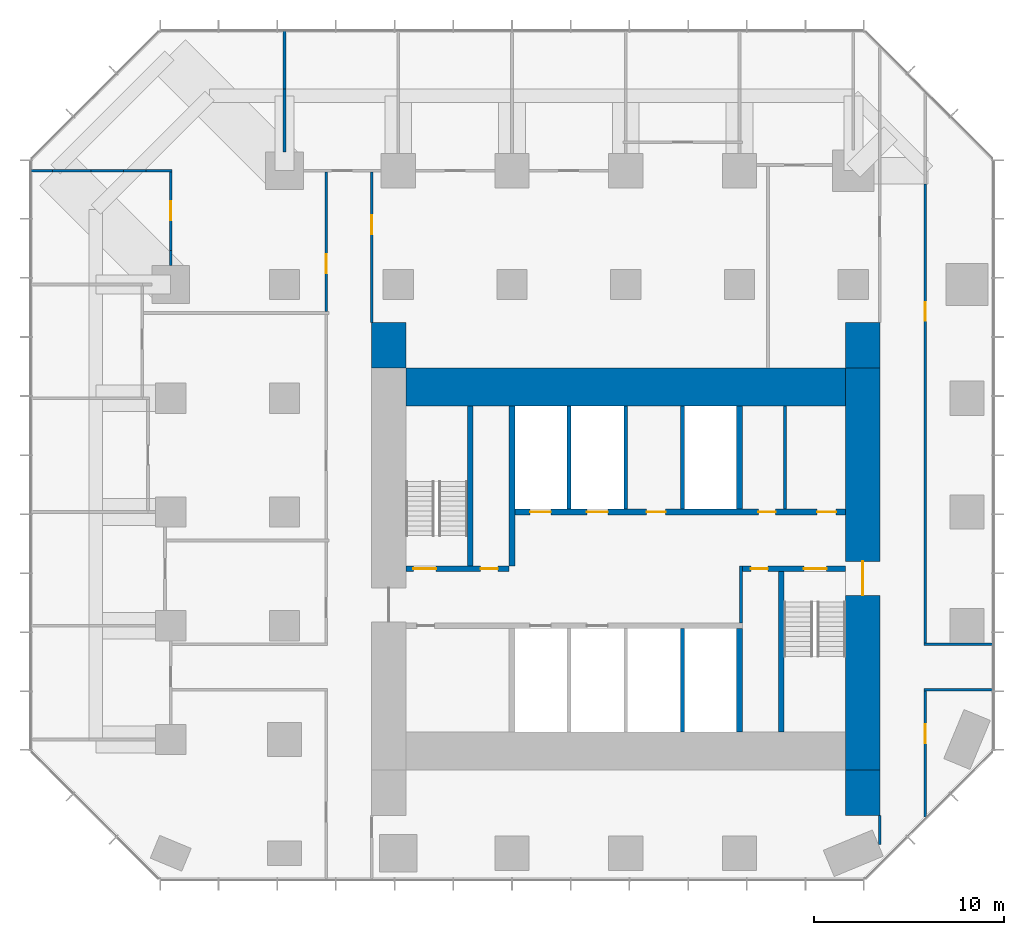
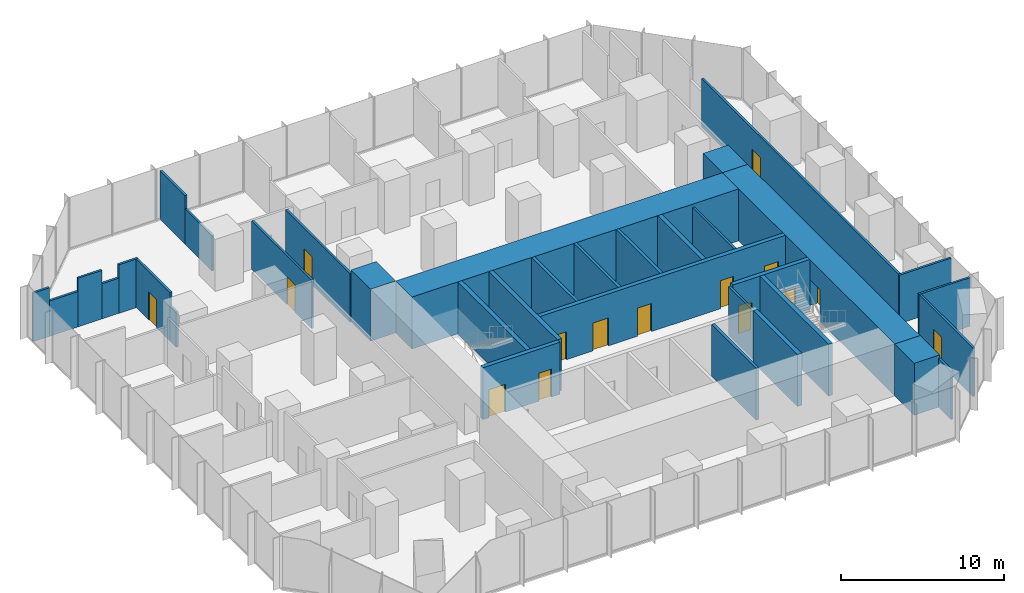
# One storey, part 9 of 11: 35 walls, 15 doors, 15 openings.
"""IFC4 building model written with IfcOpenShell, lengths in metres."""

from ifc_helpers import new_model, si_unit, direction, frame, frame_2d, origin, place, context, subcontext, project, spatial, rectangle, extrude, material, layer, layer_set, type_object, element, fill, save


model = new_model("IFC4")

# Units and contexts
model_context = context("Model", 3, precision=1e-05, world=origin(), true_north=direction((0.0, 1.0)))
body_context = subcontext(model_context, "Body", "Model", "MODEL_VIEW")
ifc_project = project(units=[si_unit("LENGTHUNIT", "METRE"), si_unit("AREAUNIT", "SQUARE_METRE"), si_unit("VOLUMEUNIT", "CUBIC_METRE"), si_unit("PLANEANGLEUNIT", "RADIAN"), si_unit("MASSUNIT", "GRAM", prefix="KILO")], contexts=[model_context])

# Site, building, storey
site_placement = place(None, origin())
site = spatial("IfcSite", under=ifc_project, at=site_placement, CompositionType="ELEMENT")
building_placement = place(site_placement, origin())
building = spatial("IfcBuilding", under=site, at=building_placement, Name="Highveld Stack Headquarters", CompositionType="ELEMENT")
storey_placement = place(building_placement, frame((0.0, 0.0, 97.699951171875)))
storey = spatial("IfcBuildingStorey", under=building, at=storey_placement, Name="L23", CompositionType="ELEMENT", Elevation=97.699951171875)

# Wall, opening, door
ifc_material_1 = material(Name="Concrete C60/75", Category="concrete")
ifc_layer_1 = layer(ifc_material_1, 1.800048828125)
ifc_layer_set_1 = layer_set([ifc_layer_1], Name="Concrete C60/75")
wall_type_1 = type_object("IfcWallType", Name="CORE WALL 1800 C60/75", PredefinedType="SHEAR", material=ifc_layer_set_1)
wall_1_placement = place(storey_placement, frame((18.5, -7.60009765625, 0.0), z_axis=(0.0, 0.0, 1.0), x_axis=(0.0, 1.0, 0.0)))
wall_1 = element("IfcWall", 1, at=wall_1_placement, inside=storey, type_object=wall_type_1, Name="Core wall E L23", PredefinedType="SHEAR", context=body_context, shape_type="SweptSolid", body=[
    extrude(rectangle(XDim=21.2001953125, YDim=1.800048828125, at=frame_2d((10.60009765625, 0.0))), origin(), (0.0, 0.0, 1.0), 3.900146484375),
])
opening_1_placement = place(wall_1_placement, frame((9.199951171875, 0.0, 0.0)))
opening_1 = element("IfcOpeningElement", 2, at=opening_1_placement, cuts=wall_1, Name="Opening L23-02", PredefinedType="OPENING", context=body_context, shape_type="SweptSolid", body=[
    extrude(rectangle(XDim=1.800048828125, YDim=2.39990234375, at=frame_2d((0.89990234375, 1.199951171875))), frame((0.0, 0.909912109375, 0.0), z_axis=(0.0, -1.0, 0.0), x_axis=(1.0, 0.0, 0.0)), (0.0, 0.0, 1.0), 1.820068359375),
])
ifc_material_2 = material(Name="Steel fire door", Category="steel")
door_type_1 = type_object("IfcDoorType", Name="LOBBY FIRE DOOR D4 1800x2400", OperationType="DOUBLE_DOOR_SINGLE_SWING", PredefinedType="DOOR", material=ifc_material_2)
door_1_placement = place(opening_1_placement, origin())
door_1 = element("IfcDoor", 3, at=door_1_placement, inside=storey, type_object=door_type_1, Name="Core east door L23", OperationType="DOUBLE_DOOR_SINGLE_SWING", OverallHeight=2.39990234375, OverallWidth=1.800048828125, PredefinedType="DOOR", context=body_context, shape_type="SweptSolid", body=[
    extrude(rectangle(XDim=1.800048828125, YDim=2.39990234375, at=frame_2d((0.89990234375, 1.199951171875))), frame((0.0, 0.02490234375, 0.0), z_axis=(0.0, -1.0, 0.0), x_axis=(1.0, 0.0, 0.0)), (0.0, 0.0, 1.0), 0.050048828125),
])
fill(opening_1, door_1)

# Wall
ifc_material_3 = material(Name="Concrete C60/75", Category="concrete")
ifc_layer_2 = layer(ifc_material_3, 2.0)
ifc_layer_set_2 = layer_set([ifc_layer_2], Name="Concrete C60/75")
wall_type_2 = type_object("IfcWallType", Name="CORE WALL 2000 C60/75", PredefinedType="SHEAR", material=ifc_layer_set_2)
wall_2_placement = place(storey_placement, frame((-5.60009765625, 12.60009765625, 0.0), z_axis=(0.0, 0.0, 1.0), x_axis=(1.0, 0.0, 0.0)))
element("IfcWall", 4, at=wall_2_placement, inside=storey, type_object=wall_type_2, Name="Core wall N L23", PredefinedType="SHEAR", context=body_context, shape_type="SweptSolid", body=[
    extrude(rectangle(XDim=23.2001953125, YDim=2.0, at=frame_2d((11.60009765625, 0.0))), origin(), (0.0, 0.0, 1.0), 3.900146484375),
])

# Wall, openings, doors
ifc_material_4 = material(Name="Concrete C60/75", Category="concrete")
ifc_layer_3 = layer(ifc_material_4, 0.300048828125)
ifc_layer_set_3 = layer_set([ifc_layer_3], Name="Concrete C60/75")
wall_type_3 = type_object("IfcWallType", Name="CORE WALL 300 C60/75", PredefinedType="SHEAR", material=ifc_layer_set_3)
wall_3_placement = place(storey_placement, frame((-5.60009765625, 3.0, 0.0), z_axis=(0.0, 0.0, 1.0), x_axis=(1.0, 0.0, 0.0)))
wall_3 = element("IfcWall", 5, at=wall_3_placement, inside=storey, type_object=wall_type_3, Name="Core wall I-Y3W L23", PredefinedType="SHEAR", context=body_context, shape_type="SweptSolid", body=[
    extrude(rectangle(XDim=5.4501953125, YDim=0.300048828125, at=frame_2d((2.72509765625, 0.0))), origin(), (0.0, 0.0, 1.0), 3.900146484375),
])
opening_2_placement = place(wall_3_placement, frame((0.39990234375, 0.0, 0.0)))
opening_2 = element("IfcOpeningElement", 6, at=opening_2_placement, cuts=wall_3, Name="Opening L23-03", PredefinedType="OPENING", context=body_context, shape_type="SweptSolid", body=[
    extrude(rectangle(XDim=1.199951171875, YDim=2.10009765625, at=frame_2d((0.60009765625, 1.050048828125))), frame((0.0, 0.159912109375, 0.0), z_axis=(0.0, -1.0, 0.0), x_axis=(1.0, 0.0, 0.0)), (0.0, 0.0, 1.0), 0.320068359375),
])
opening_3_placement = place(wall_3_placement, frame((3.949951171875, 0.0, 0.0)))
opening_3 = element("IfcOpeningElement", 7, at=opening_3_placement, cuts=wall_3, Name="Opening L23-04", PredefinedType="OPENING", context=body_context, shape_type="SweptSolid", body=[
    extrude(rectangle(XDim=0.89990234375, YDim=2.10009765625, at=frame_2d((0.449951171875, 1.050048828125))), frame((0.0, 0.159912109375, 0.0), z_axis=(0.0, -1.0, 0.0), x_axis=(1.0, 0.0, 0.0)), (0.0, 0.0, 1.0), 0.320068359375),
])
ifc_material_5 = material(Name="Steel fire door", Category="steel")
door_type_2 = type_object("IfcDoorType", Name="RISER ACCESS DOOR D5 900x2100", OperationType="SINGLE_SWING_LEFT", PredefinedType="DOOR", material=ifc_material_5)
door_2_placement = place(opening_3_placement, origin())
door_2 = element("IfcDoor", 8, at=door_2_placement, inside=storey, type_object=door_type_2, Name="Riser R1 door L23", OperationType="SINGLE_SWING_RIGHT", OverallHeight=2.10009765625, OverallWidth=0.89990234375, PredefinedType="DOOR", context=body_context, shape_type="SweptSolid", body=[
    extrude(rectangle(XDim=0.89990234375, YDim=2.10009765625, at=frame_2d((0.449951171875, 1.050048828125))), frame((0.0, 0.02490234375, 0.0), z_axis=(0.0, -1.0, 0.0), x_axis=(1.0, 0.0, 0.0)), (0.0, 0.0, 1.0), 0.050048828125),
])
fill(opening_3, door_2)
ifc_material_6 = material(Name="Steel fire door", Category="steel")
door_type_3 = type_object("IfcDoorType", Name="STAIR FIRE DOOR D3 1200x2100", OperationType="SINGLE_SWING_LEFT", PredefinedType="DOOR", material=ifc_material_6)
door_3_placement = place(opening_2_placement, origin())
door_3 = element("IfcDoor", 9, at=door_3_placement, inside=storey, type_object=door_type_3, Name="Stair S1 door L23", OperationType="SINGLE_SWING_LEFT", OverallHeight=2.10009765625, OverallWidth=1.199951171875, PredefinedType="DOOR", context=body_context, shape_type="SweptSolid", body=[
    extrude(rectangle(XDim=1.199951171875, YDim=2.10009765625, at=frame_2d((0.60009765625, 1.050048828125))), frame((0.0, 0.02490234375, 0.0), z_axis=(0.0, -1.0, 0.0), x_axis=(1.0, 0.0, 0.0)), (0.0, 0.0, 1.0), 0.050048828125),
])
fill(opening_2, door_3)

wall_4_placement = place(storey_placement, frame((12.14990234375, 3.0, 0.0), z_axis=(0.0, 0.0, 1.0), x_axis=(1.0, 0.0, 0.0)))
wall_4 = element("IfcWall", 10, at=wall_4_placement, inside=storey, type_object=wall_type_3, Name="Core wall I-Y3E L23", PredefinedType="SHEAR", context=body_context, shape_type="SweptSolid", body=[
    extrude(rectangle(XDim=5.4501953125, YDim=0.300048828125, at=frame_2d((2.72509765625, 0.0))), origin(), (0.0, 0.0, 1.0), 3.900146484375),
])
opening_4_placement = place(wall_4_placement, frame((3.25, 0.0, 0.0)))
opening_4 = element("IfcOpeningElement", 11, at=opening_4_placement, cuts=wall_4, Name="Opening L23-05", PredefinedType="OPENING", context=body_context, shape_type="SweptSolid", body=[
    extrude(rectangle(XDim=1.199951171875, YDim=2.10009765625, at=frame_2d((0.60009765625, 1.050048828125))), frame((0.0, 0.159912109375, 0.0), z_axis=(0.0, -1.0, 0.0), x_axis=(1.0, 0.0, 0.0)), (0.0, 0.0, 1.0), 0.320068359375),
])
opening_5_placement = place(wall_4_placement, frame((0.449951171875, 0.0, 0.0)))
opening_5 = element("IfcOpeningElement", 12, at=opening_5_placement, cuts=wall_4, Name="Opening L23-06", PredefinedType="OPENING", context=body_context, shape_type="SweptSolid", body=[
    extrude(rectangle(XDim=0.89990234375, YDim=2.10009765625, at=frame_2d((0.449951171875, 1.050048828125))), frame((0.0, 0.159912109375, 0.0), z_axis=(0.0, -1.0, 0.0), x_axis=(1.0, 0.0, 0.0)), (0.0, 0.0, 1.0), 0.320068359375),
])
door_4_placement = place(opening_5_placement, origin())
door_4 = element("IfcDoor", 13, at=door_4_placement, inside=storey, type_object=door_type_2, Name="Riser R2 door L23", OperationType="SINGLE_SWING_LEFT", OverallHeight=2.10009765625, OverallWidth=0.89990234375, PredefinedType="DOOR", context=body_context, shape_type="SweptSolid", body=[
    extrude(rectangle(XDim=0.89990234375, YDim=2.10009765625, at=frame_2d((0.449951171875, 1.050048828125))), frame((0.0, 0.02490234375, 0.0), z_axis=(0.0, -1.0, 0.0), x_axis=(1.0, 0.0, 0.0)), (0.0, 0.0, 1.0), 0.050048828125),
])
fill(opening_5, door_4)
door_5_placement = place(opening_4_placement, origin())
door_5 = element("IfcDoor", 14, at=door_5_placement, inside=storey, type_object=door_type_3, Name="Stair S2 door L23", OperationType="SINGLE_SWING_RIGHT", OverallHeight=2.10009765625, OverallWidth=1.199951171875, PredefinedType="DOOR", context=body_context, shape_type="SweptSolid", body=[
    extrude(rectangle(XDim=1.199951171875, YDim=2.10009765625, at=frame_2d((0.60009765625, 1.050048828125))), frame((0.0, 0.02490234375, 0.0), z_axis=(0.0, -1.0, 0.0), x_axis=(1.0, 0.0, 0.0)), (0.0, 0.0, 1.0), 0.050048828125),
])
fill(opening_4, door_5)

wall_5_placement = place(storey_placement, frame((-0.14990234375, 6.0, 0.0), z_axis=(0.0, 0.0, 1.0), x_axis=(1.0, 0.0, 0.0)))
wall_5 = element("IfcWall", 15, at=wall_5_placement, inside=storey, type_object=wall_type_3, Name="Core wall I-Y6 L23", PredefinedType="SHEAR", context=body_context, shape_type="SweptSolid", body=[
    extrude(rectangle(XDim=17.75, YDim=0.300048828125, at=frame_2d((8.875, 0.0))), origin(), (0.0, 0.0, 1.0), 3.900146484375),
])
opening_6_placement = place(wall_5_placement, frame((13.14990234375, 0.0, 0.0)))
opening_6 = element("IfcOpeningElement", 16, at=opening_6_placement, cuts=wall_5, Name="Opening L23-08", PredefinedType="OPENING", context=body_context, shape_type="SweptSolid", body=[
    extrude(rectangle(XDim=0.89990234375, YDim=2.10009765625, at=frame_2d((0.449951171875, 1.050048828125))), frame((0.0, 0.159912109375, 0.0), z_axis=(0.0, -1.0, 0.0), x_axis=(1.0, 0.0, 0.0)), (0.0, 0.0, 1.0), 0.320068359375),
])
opening_7_placement = place(wall_5_placement, frame((16.25, 0.0, 0.0)))
opening_7 = element("IfcOpeningElement", 17, at=opening_7_placement, cuts=wall_5, Name="Opening L23-09", PredefinedType="OPENING", context=body_context, shape_type="SweptSolid", body=[
    extrude(rectangle(XDim=1.0, YDim=2.10009765625, at=frame_2d((0.5, 1.050048828125))), frame((0.0, 0.159912109375, 0.0), z_axis=(0.0, -1.0, 0.0), x_axis=(1.0, 0.0, 0.0)), (0.0, 0.0, 1.0), 0.320068359375),
])
opening_8_placement = place(wall_5_placement, frame((7.25, 0.0, 0.0)))
opening_8 = element("IfcOpeningElement", 18, at=opening_8_placement, cuts=wall_5, Name="Opening L23-10", PredefinedType="OPENING", context=body_context, shape_type="SweptSolid", body=[
    extrude(rectangle(XDim=1.0, YDim=2.10009765625, at=frame_2d((0.5, 1.050048828125))), frame((0.0, 0.159912109375, 0.0), z_axis=(0.0, -1.0, 0.0), x_axis=(1.0, 0.0, 0.0)), (0.0, 0.0, 1.0), 0.320068359375),
])
opening_9_placement = place(wall_5_placement, frame((1.10009765625, 0.0, 0.0)))
opening_9 = element("IfcOpeningElement", 19, at=opening_9_placement, cuts=wall_5, Name="Opening LD", PredefinedType="OPENING", context=body_context, shape_type="SweptSolid", body=[
    extrude(rectangle(XDim=1.10009765625, YDim=2.10009765625, at=frame_2d((0.550048828125, 1.050048828125))), frame((0.0, 0.159912109375, 0.0), z_axis=(0.0, -1.0, 0.0), x_axis=(1.0, 0.0, 0.0)), (0.0, 0.0, 1.0), 0.320068359375),
])
opening_10_placement = place(wall_5_placement, frame((4.10009765625, 0.0, 0.0)))
opening_10 = element("IfcOpeningElement", 20, at=opening_10_placement, cuts=wall_5, Name="Opening LD", PredefinedType="OPENING", context=body_context, shape_type="SweptSolid", body=[
    extrude(rectangle(XDim=1.10009765625, YDim=2.10009765625, at=frame_2d((0.550048828125, 1.050048828125))), frame((0.0, 0.159912109375, 0.0), z_axis=(0.0, -1.0, 0.0), x_axis=(1.0, 0.0, 0.0)), (0.0, 0.0, 1.0), 0.320068359375),
])
ifc_material_7 = material(Name="Timber door, painted", Category="wood")
door_type_4 = type_object("IfcDoorType", Name="ACCESSIBLE WC DOOR D2 1000x2100", OperationType="SINGLE_SWING_RIGHT", PredefinedType="DOOR", material=ifc_material_7)
door_6_placement = place(opening_7_placement, origin())
door_6 = element("IfcDoor", 21, at=door_6_placement, inside=storey, type_object=door_type_4, Name="Accessible WC door L23", OperationType="SINGLE_SWING_RIGHT", OverallHeight=2.10009765625, OverallWidth=1.0, PredefinedType="DOOR", context=body_context, shape_type="SweptSolid", body=[
    extrude(rectangle(XDim=1.0, YDim=2.10009765625, at=frame_2d((0.5, 1.050048828125))), frame((0.0, 0.02490234375, 0.0), z_axis=(0.0, -1.0, 0.0), x_axis=(1.0, 0.0, 0.0)), (0.0, 0.0, 1.0), 0.050048828125),
])
fill(opening_7, door_6)
ifc_material_8 = material(Name="Steel fire door", Category="steel")
door_type_5 = type_object("IfcDoorType", Name="CORE ROOM FIRE DOOR D14 1000x2100", OperationType="SINGLE_SWING_LEFT", PredefinedType="DOOR", material=ifc_material_8)
door_7_placement = place(opening_8_placement, origin())
door_7 = element("IfcDoor", 22, at=door_7_placement, inside=storey, type_object=door_type_5, Name="Capped A 1 door L23", OperationType="SINGLE_SWING_LEFT", OverallHeight=2.10009765625, OverallWidth=1.0, PredefinedType="DOOR", context=body_context, shape_type="SweptSolid", body=[
    extrude(rectangle(XDim=1.0, YDim=2.10009765625, at=frame_2d((0.5, 1.050048828125))), frame((0.0, 0.02490234375, 0.0), z_axis=(0.0, -1.0, 0.0), x_axis=(1.0, 0.0, 0.0)), (0.0, 0.0, 1.0), 0.050048828125),
])
fill(opening_8, door_7)
ifc_material_9 = material(Name="Stainless steel lift landing door", Category="steel")
door_type_6 = type_object("IfcDoorType", Name="LIFT LANDING DOOR LD 1100x2100", OperationType="DOUBLE_DOOR_SLIDING", PredefinedType="USERDEFINED", material=ifc_material_9)
door_8_placement = place(opening_9_placement, origin())
door_8 = element("IfcDoor", 23, at=door_8_placement, inside=storey, type_object=door_type_6, Name="Lift landing door FF1 L23", ObjectType="LIFT LANDING DOOR", OperationType="DOUBLE_DOOR_SLIDING", OverallHeight=2.10009765625, OverallWidth=1.10009765625, PredefinedType="USERDEFINED", context=body_context, shape_type="SweptSolid", body=[
    extrude(rectangle(XDim=1.10009765625, YDim=2.10009765625, at=frame_2d((0.550048828125, 1.050048828125))), frame((0.0, 0.02490234375, 0.0), z_axis=(0.0, -1.0, 0.0), x_axis=(1.0, 0.0, 0.0)), (0.0, 0.0, 1.0), 0.050048828125),
])
fill(opening_9, door_8)
door_9_placement = place(opening_10_placement, origin())
door_9 = element("IfcDoor", 24, at=door_9_placement, inside=storey, type_object=door_type_6, Name="Lift landing door FF2 L23", ObjectType="LIFT LANDING DOOR", OperationType="DOUBLE_DOOR_SLIDING", OverallHeight=2.10009765625, OverallWidth=1.10009765625, PredefinedType="USERDEFINED", context=body_context, shape_type="SweptSolid", body=[
    extrude(rectangle(XDim=1.10009765625, YDim=2.10009765625, at=frame_2d((0.550048828125, 1.050048828125))), frame((0.0, 0.02490234375, 0.0), z_axis=(0.0, -1.0, 0.0), x_axis=(1.0, 0.0, 0.0)), (0.0, 0.0, 1.0), 0.050048828125),
])
fill(opening_10, door_9)
ifc_material_10 = material(Name="Timber door, painted", Category="wood")
door_type_7 = type_object("IfcDoorType", Name="WC DOOR D1 900x2100", OperationType="SINGLE_SWING_LEFT", PredefinedType="DOOR", material=ifc_material_10)
door_10_placement = place(opening_6_placement, origin())
door_10 = element("IfcDoor", 25, at=door_10_placement, inside=storey, type_object=door_type_7, Name="Male WC door L23", OperationType="SINGLE_SWING_RIGHT", OverallHeight=2.10009765625, OverallWidth=0.89990234375, PredefinedType="DOOR", context=body_context, shape_type="SweptSolid", body=[
    extrude(rectangle(XDim=0.89990234375, YDim=2.10009765625, at=frame_2d((0.449951171875, 1.050048828125))), frame((0.0, 0.02490234375, 0.0), z_axis=(0.0, -1.0, 0.0), x_axis=(1.0, 0.0, 0.0)), (0.0, 0.0, 1.0), 0.050048828125),
])
fill(opening_6, door_10)

# Walls
wall_6_placement = place(storey_placement, frame((0.0, 3.14990234375, 0.0), z_axis=(0.0, 0.0, 1.0), x_axis=(0.0, 1.0, 0.0)))
element("IfcWall", 26, at=wall_6_placement, inside=storey, type_object=wall_type_3, Name="Core wall I-X0N L23", PredefinedType="SHEAR", context=body_context, shape_type="SweptSolid", body=[
    extrude(rectangle(XDim=8.4501953125, YDim=0.300048828125, at=frame_2d((4.22509765625, 0.0))), origin(), (0.0, 0.0, 1.0), 3.900146484375),
])
for number, where, z_axis, x_axis, name in (
    (27, (12.0, -5.60009765625, 0.0), (0.0, 0.0, 1.0), (0.0, 1.0, 0.0), "Core wall I-X12S L23"),
    (28, (12.0, 6.14990234375, 0.0), (0.0, 0.0, 1.0), (0.0, 1.0, 0.0), "Core wall I-X12N L23"),
):
    element("IfcWall", number, at=place(storey_placement, frame(where, z_axis=z_axis, x_axis=x_axis)), inside=storey, type_object=wall_type_3, Name=name, PredefinedType="SHEAR", context=body_context, shape_type="SweptSolid", body=[
        extrude(rectangle(XDim=5.4501953125, YDim=0.300048828125, at=frame_2d((2.72509765625, 0.0))), origin(), (0.0, 0.0, 1.0), 3.900146484375),
    ])
for number, where, z_axis, x_axis, name in (
    (29, (-2.199951171875, 3.14990234375, 0.0), (0.0, 0.0, 1.0), (0.0, 1.0, 0.0), "Core wall I-RW L23"),
    (30, (14.199951171875, -5.60009765625, 0.0), (0.0, 0.0, 1.0), (0.0, 1.0, 0.0), "Core wall I-RE L23"),
):
    element("IfcWall", number, at=place(storey_placement, frame(where, z_axis=z_axis, x_axis=x_axis)), inside=storey, type_object=wall_type_3, Name=name, PredefinedType="SHEAR", context=body_context, shape_type="SweptSolid", body=[
        extrude(rectangle(XDim=8.4501953125, YDim=0.300048828125, at=frame_2d((4.22509765625, 0.0))), origin(), (0.0, 0.0, 1.0), 3.900146484375),
    ])
ifc_material_11 = material(Name="Concrete C60/75", Category="concrete")
ifc_layer_4 = layer(ifc_material_11, 1.800048828125)
ifc_layer_set_4 = layer_set([ifc_layer_4], Name="Concrete C60/75")
wall_type_4 = type_object("IfcWallType", Name="CORE WING WALL 1800 C60/75", PredefinedType="SHEAR", material=ifc_layer_set_4)
for number, where, z_axis, x_axis, name in (
    (31, (-6.5, 13.60009765625, 0.0), (0.0, 0.0, 1.0), (0.0, 1.0, 0.0), "Core wing wall WN L23"),
    (32, (18.5, -10.0, 0.0), (0.0, 0.0, 1.0), (0.0, 1.0, 0.0), "Core wing wall ES L23"),
    (33, (18.5, 13.60009765625, 0.0), (0.0, 0.0, 1.0), (0.0, 1.0, 0.0), "Core wing wall EN L23"),
):
    element("IfcWall", number, at=place(storey_placement, frame(where, z_axis=z_axis, x_axis=x_axis)), inside=storey, type_object=wall_type_4, Name=name, PredefinedType="SHEAR", context=body_context, shape_type="SweptSolid", body=[
        extrude(rectangle(XDim=2.39990234375, YDim=1.800048828125, at=frame_2d((1.199951171875, 0.0))), origin(), (0.0, 0.0, 1.0), 3.900146484375),
    ])
ifc_material_12 = material(Name="Concrete blockwork, plastered", Category="masonry")
ifc_layer_5 = layer(ifc_material_12, 0.14990234375)
ifc_layer_set_5 = layer_set([ifc_layer_5], Name="Concrete blockwork, plastered")
wall_type_5 = type_object("IfcWallType", Name="FIRE PARTITION 150 BLOCKWORK", PredefinedType="PARTITIONING", material=ifc_layer_set_5)
wall_7_placement = place(storey_placement, frame((12.074951171875, 0.14990234375, 0.0), z_axis=(0.0, 0.0, 1.0), x_axis=(0.0, 1.0, 0.0)))
element("IfcWall", 34, at=wall_7_placement, inside=storey, type_object=wall_type_5, Name="Riser R2 enclosure L23", PredefinedType="PARTITIONING", context=body_context, shape_type="SweptSolid", body=[
    extrude(rectangle(XDim=3.0, YDim=0.14990234375, at=frame_2d((1.5, 0.0))), origin(), (0.0, 0.0, 1.0), 3.650146484375),
])
ifc_material_13 = material(Name="Concrete blockwork, fair-faced", Category="masonry")
ifc_layer_6 = layer(ifc_material_13, 0.199951171875)
ifc_layer_set_6 = layer_set([ifc_layer_6], Name="Concrete blockwork, fair-faced")
wall_type_6 = type_object("IfcWallType", Name="LIFT SHAFT ENCLOSURE WALL 200 BLOCKWORK", PredefinedType="SOLIDWALL", material=ifc_layer_set_6)
for number, where, z_axis, x_axis, name in (
    (35, (3.0, 6.14990234375, 0.0), (0.0, 0.0, 1.0), (0.0, 1.0, 0.0), "Lift shaft wall L23"),
    (36, (6.0, 6.14990234375, 0.0), (0.0, 0.0, 1.0), (0.0, 1.0, 0.0), "Lift shaft wall L23"),
    (37, (9.0, 6.14990234375, 0.0), (0.0, 0.0, 1.0), (0.0, 1.0, 0.0), "Lift shaft wall L23"),
    (38, (9.0, -5.60009765625, 0.0), (0.0, 0.0, 1.0), (0.0, 1.0, 0.0), "Lift shaft wall L23"),
):
    element("IfcWall", number, at=place(storey_placement, frame(where, z_axis=z_axis, x_axis=x_axis)), inside=storey, type_object=wall_type_6, Name=name, PredefinedType="SOLIDWALL", context=body_context, shape_type="SweptSolid", body=[
        extrude(rectangle(XDim=5.4501953125, YDim=0.199951171875, at=frame_2d((2.72509765625, 0.0))), origin(), (0.0, 0.0, 1.0), 3.900146484375),
    ])
ifc_material_14 = material(Name="Gypsum plasterboard on steel studs", Category="steel")
ifc_layer_7 = layer(ifc_material_14, 0.14990234375)
ifc_layer_set_7 = layer_set([ifc_layer_7], Name="Gypsum plasterboard on steel studs")
wall_type_7 = type_object("IfcWallType", Name="PARTITION 150 PLASTERBOARD", PredefinedType="PARTITIONING", material=ifc_layer_set_7)
wall_8_placement = place(storey_placement, frame((-25.39990234375, 24.0, 0.0), z_axis=(0.0, 0.0, 1.0), x_axis=(1.0, 0.0, 0.0)))
element("IfcWall", 39, at=wall_8_placement, inside=storey, type_object=wall_type_7, Name="Partition Office L23", PredefinedType="PARTITIONING", context=body_context, shape_type="SweptSolid", body=[
    extrude(rectangle(XDim=1.162841796875, YDim=0.14990234375, at=frame_2d((0.58154296875, 0.0))), origin(), (0.0, 0.0, 1.0), 3.650146484375),
])
wall_9_placement = place(storey_placement, frame((-24.237060546875, 24.0, 0.0), z_axis=(0.0, 0.0, 1.0), x_axis=(1.0, 0.0, 0.0)))
element("IfcWall", 40, at=wall_9_placement, inside=storey, type_object=wall_type_7, Name="Partition Office L23", PredefinedType="PARTITIONING", context=body_context, shape_type="SweptSolid", body=[
    extrude(rectangle(XDim=2.029052734375, YDim=0.14990234375, at=frame_2d((1.0146484375, 0.0))), origin(), (0.0, 0.0, 1.0), 2.650146484375),
])
wall_10_placement = place(storey_placement, frame((-22.2080078125, 24.0, 0.0), z_axis=(0.0, 0.0, 1.0), x_axis=(1.0, 0.0, 0.0)))
element("IfcWall", 41, at=wall_10_placement, inside=storey, type_object=wall_type_7, Name="Partition Office L23", PredefinedType="PARTITIONING", context=body_context, shape_type="SweptSolid", body=[
    extrude(rectangle(XDim=1.718017578125, YDim=0.14990234375, at=frame_2d((0.85888671875, 0.0))), origin(), (0.0, 0.0, 1.0), 3.650146484375),
])
wall_11_placement = place(storey_placement, frame((-20.489990234375, 24.0, 0.0), z_axis=(0.0, 0.0, 1.0), x_axis=(1.0, 0.0, 0.0)))
element("IfcWall", 42, at=wall_11_placement, inside=storey, type_object=wall_type_7, Name="Partition Office L23", PredefinedType="PARTITIONING", context=body_context, shape_type="SweptSolid", body=[
    extrude(rectangle(XDim=1.179931640625, YDim=0.14990234375, at=frame_2d((0.58984375, 0.0))), origin(), (0.0, 0.0, 1.0), 2.650146484375),
])
wall_12_placement = place(storey_placement, frame((-19.31005859375, 24.0, 0.0), z_axis=(0.0, 0.0, 1.0), x_axis=(1.0, 0.0, 0.0)))
element("IfcWall", 43, at=wall_12_placement, inside=storey, type_object=wall_type_7, Name="Partition Office L23", PredefinedType="PARTITIONING", context=body_context, shape_type="SweptSolid", body=[
    extrude(rectangle(XDim=1.385009765625, YDim=0.14990234375, at=frame_2d((0.6923828125, 0.0))), origin(), (0.0, 0.0, 1.0), 3.650146484375),
])
wall_13_placement = place(storey_placement, frame((-18.0, 19.0, 0.0), z_axis=(0.0, 0.0, 1.0), x_axis=(0.0, 1.0, 0.0)))
element("IfcWall", 44, at=wall_13_placement, inside=storey, type_object=wall_type_7, Name="Partition Office L23", PredefinedType="PARTITIONING", context=body_context, shape_type="SweptSolid", body=[
    extrude(rectangle(XDim=0.7919921875, YDim=0.14990234375, at=frame_2d((0.39599609375, 0.0))), origin(), (0.0, 0.0, 1.0), 2.650146484375),
])

# Wall, opening, door
wall_14_placement = place(storey_placement, frame((-18.0, 19.7919921875, 0.0), z_axis=(0.0, 0.0, 1.0), x_axis=(0.0, 1.0, 0.0)))
wall_14 = element("IfcWall", 45, at=wall_14_placement, inside=storey, type_object=wall_type_7, Name="Partition Office L23", PredefinedType="PARTITIONING", context=body_context, shape_type="SweptSolid", body=[
    extrude(rectangle(XDim=4.133056640625, YDim=0.14990234375, at=frame_2d((2.06640625, 0.0))), origin(), (0.0, 0.0, 1.0), 3.650146484375),
])
opening_11_placement = place(wall_14_placement, frame((1.60400390625, 0.0, 0.0)))
opening_11 = element("IfcOpeningElement", 46, at=opening_11_placement, cuts=wall_14, Name="Opening L23-15", PredefinedType="OPENING", context=body_context, shape_type="SweptSolid", body=[
    extrude(rectangle(XDim=1.0, YDim=2.10009765625, at=frame_2d((0.5, 1.050048828125))), frame((0.0, 0.0849609375, 0.0), z_axis=(0.0, -1.0, 0.0), x_axis=(1.0, 0.0, 0.0)), (0.0, 0.0, 1.0), 0.169921875),
])
ifc_material_15 = material(Name="Timber door, oiled ash", Category="wood")
door_type_8 = type_object("IfcDoorType", Name="ROOM DOOR D6 1000x2100", OperationType="SINGLE_SWING_LEFT", PredefinedType="DOOR", material=ifc_material_15)
door_11_placement = place(opening_11_placement, origin())
door_11 = element("IfcDoor", 47, at=door_11_placement, inside=storey, type_object=door_type_8, Name="Office door 1 L23", OperationType="SINGLE_SWING_RIGHT", OverallHeight=2.10009765625, OverallWidth=1.0, PredefinedType="DOOR", context=body_context, shape_type="SweptSolid", body=[
    extrude(rectangle(XDim=1.0, YDim=2.10009765625, at=frame_2d((0.5, 1.050048828125))), frame((0.0, 0.02490234375, 0.0), z_axis=(0.0, -1.0, 0.0), x_axis=(1.0, 0.0, 0.0)), (0.0, 0.0, 1.0), 0.050048828125),
])
fill(opening_11, door_11)

# Walls
wall_15_placement = place(storey_placement, frame((-12.0, 25.0, 0.0), z_axis=(0.0, 0.0, 1.0), x_axis=(0.0, 1.0, 0.0)))
element("IfcWall", 48, at=wall_15_placement, inside=storey, type_object=wall_type_7, Name="Partition Office L23", PredefinedType="PARTITIONING", context=body_context, shape_type="SweptSolid", body=[
    extrude(rectangle(XDim=3.31005859375, YDim=0.14990234375, at=frame_2d((1.655029296875, 0.0))), origin(), (0.0, 0.0, 1.0), 2.650146484375),
])
wall_16_placement = place(storey_placement, frame((-12.0, 28.31005859375, 0.0), z_axis=(0.0, 0.0, 1.0), x_axis=(0.0, 1.0, 0.0)))
element("IfcWall", 49, at=wall_16_placement, inside=storey, type_object=wall_type_7, Name="Partition Office L23", PredefinedType="PARTITIONING", context=body_context, shape_type="SweptSolid", body=[
    extrude(rectangle(XDim=3.08984375, YDim=0.14990234375, at=frame_2d((1.544921875, 0.0))), origin(), (0.0, 0.0, 1.0), 3.650146484375),
])

# Wall, opening, door
wall_17_placement = place(storey_placement, frame((-9.800048828125, 16.574951171875, 0.0), z_axis=(0.0, 0.0, 1.0), x_axis=(0.0, 1.0, 0.0)))
wall_17 = element("IfcWall", 50, at=wall_17_placement, inside=storey, type_object=wall_type_7, Name="Partition office neighbourhood L23", PredefinedType="PARTITIONING", context=body_context, shape_type="SweptSolid", body=[
    extrude(rectangle(XDim=7.35009765625, YDim=0.14990234375, at=frame_2d((3.675048828125, 0.0))), origin(), (0.0, 0.0, 1.0), 3.650146484375),
])
opening_12_placement = place(wall_17_placement, frame((2.02392578125, 0.0, 0.0)))
opening_12 = element("IfcOpeningElement", 51, at=opening_12_placement, cuts=wall_17, Name="Opening L23-27", PredefinedType="OPENING", context=body_context, shape_type="SweptSolid", body=[
    extrude(rectangle(XDim=1.0, YDim=2.10009765625, at=frame_2d((0.5, 1.050048828125))), frame((0.0, 0.0849609375, 0.0), z_axis=(0.0, -1.0, 0.0), x_axis=(1.0, 0.0, 0.0)), (0.0, 0.0, 1.0), 0.169921875),
])
door_12_placement = place(opening_12_placement, origin())
door_12 = element("IfcDoor", 52, at=door_12_placement, inside=storey, type_object=door_type_8, Name="Office neighbourhood door L23", OperationType="SINGLE_SWING_LEFT", OverallHeight=2.10009765625, OverallWidth=1.0, PredefinedType="DOOR", context=body_context, shape_type="SweptSolid", body=[
    extrude(rectangle(XDim=1.0, YDim=2.10009765625, at=frame_2d((0.5, 1.050048828125))), frame((0.0, 0.02490234375, 0.0), z_axis=(0.0, -1.0, 0.0), x_axis=(1.0, 0.0, 0.0)), (0.0, 0.0, 1.0), 0.050048828125),
])
fill(opening_12, door_12)

wall_18_placement = place(storey_placement, frame((-7.39990234375, 16.0, 0.0), z_axis=(0.0, 0.0, 1.0), x_axis=(0.0, 1.0, 0.0)))
wall_18 = element("IfcWall", 53, at=wall_18_placement, inside=storey, type_object=wall_type_7, Name="Partition office neighbourhood L23", PredefinedType="PARTITIONING", context=body_context, shape_type="SweptSolid", body=[
    extrude(rectangle(XDim=7.925048828125, YDim=0.14990234375, at=frame_2d((3.96240234375, 0.0))), origin(), (0.0, 0.0, 1.0), 3.650146484375),
])
opening_13_placement = place(wall_18_placement, frame((4.65087890625, 0.0, 0.0)))
opening_13 = element("IfcOpeningElement", 54, at=opening_13_placement, cuts=wall_18, Name="Opening L23-25", PredefinedType="OPENING", context=body_context, shape_type="SweptSolid", body=[
    extrude(rectangle(XDim=1.0, YDim=2.10009765625, at=frame_2d((0.5, 1.050048828125))), frame((0.0, 0.0849609375, 0.0), z_axis=(0.0, -1.0, 0.0), x_axis=(1.0, 0.0, 0.0)), (0.0, 0.0, 1.0), 0.169921875),
])
door_13_placement = place(opening_13_placement, origin())
door_13 = element("IfcDoor", 55, at=door_13_placement, inside=storey, type_object=door_type_8, Name="Office neighbourhood door L23", OperationType="SINGLE_SWING_RIGHT", OverallHeight=2.10009765625, OverallWidth=1.0, PredefinedType="DOOR", context=body_context, shape_type="SweptSolid", body=[
    extrude(rectangle(XDim=1.0, YDim=2.10009765625, at=frame_2d((0.5, 1.050048828125))), frame((0.0, 0.02490234375, 0.0), z_axis=(0.0, -1.0, 0.0), x_axis=(1.0, 0.0, 0.0)), (0.0, 0.0, 1.0), 0.050048828125),
])
fill(opening_13, door_13)

# Wall
wall_19_placement = place(storey_placement, frame((19.39990234375, -11.54052734375, 0.0), z_axis=(0.0, 0.0, 1.0), x_axis=(0.0, 1.0, 0.0)))
element("IfcWall", 56, at=wall_19_placement, inside=storey, type_object=wall_type_7, Name="Partition office neighbourhood L23", PredefinedType="PARTITIONING", context=body_context, shape_type="SweptSolid", body=[
    extrude(rectangle(XDim=1.54052734375, YDim=0.14990234375, at=frame_2d((0.770263671875, 0.0))), origin(), (0.0, 0.0, 1.0), 3.650146484375),
])

# Wall, opening, door
wall_20_placement = place(storey_placement, frame((21.800048828125, -10.089111328125, 0.0), z_axis=(0.0, 0.0, 1.0), x_axis=(0.0, 1.0, 0.0)))
wall_20 = element("IfcWall", 57, at=wall_20_placement, inside=storey, type_object=wall_type_7, Name="Partition office neighbourhood L23", PredefinedType="PARTITIONING", context=body_context, shape_type="SweptSolid", body=[
    extrude(rectangle(XDim=6.63916015625, YDim=0.14990234375, at=frame_2d((3.319580078125, 0.0))), origin(), (0.0, 0.0, 1.0), 3.650146484375),
])
opening_14_placement = place(wall_20_placement, frame((3.882080078125, 0.0, 0.0)))
opening_14 = element("IfcOpeningElement", 58, at=opening_14_placement, cuts=wall_20, Name="Opening L23-22", PredefinedType="OPENING", context=body_context, shape_type="SweptSolid", body=[
    extrude(rectangle(XDim=1.0, YDim=2.10009765625, at=frame_2d((0.5, 1.050048828125))), frame((0.0, 0.0849609375, 0.0), z_axis=(0.0, -1.0, 0.0), x_axis=(1.0, 0.0, 0.0)), (0.0, 0.0, 1.0), 0.169921875),
])
door_14_placement = place(opening_14_placement, origin())
door_14 = element("IfcDoor", 59, at=door_14_placement, inside=storey, type_object=door_type_8, Name="Office neighbourhood door L23", OperationType="SINGLE_SWING_RIGHT", OverallHeight=2.10009765625, OverallWidth=1.0, PredefinedType="DOOR", context=body_context, shape_type="SweptSolid", body=[
    extrude(rectangle(XDim=1.0, YDim=2.10009765625, at=frame_2d((0.5, 1.050048828125))), frame((0.0, 0.02490234375, 0.0), z_axis=(0.0, -1.0, 0.0), x_axis=(1.0, 0.0, 0.0)), (0.0, 0.0, 1.0), 0.050048828125),
])
fill(opening_14, door_14)

# Wall
wall_21_placement = place(storey_placement, frame((21.72509765625, -3.375, 0.0), z_axis=(0.0, 0.0, 1.0), x_axis=(1.0, 0.0, 0.0)))
element("IfcWall", 60, at=wall_21_placement, inside=storey, type_object=wall_type_7, Name="Partition office neighbourhood L23", PredefinedType="PARTITIONING", context=body_context, shape_type="SweptSolid", body=[
    extrude(rectangle(XDim=3.625, YDim=0.14990234375, at=frame_2d((1.8125, 0.0))), origin(), (0.0, 0.0, 1.0), 3.650146484375),
])

# Wall, opening, door
wall_22_placement = place(storey_placement, frame((21.800048828125, -0.89990234375, 0.0), z_axis=(0.0, 0.0, 1.0), x_axis=(0.0, 1.0, 0.0)))
wall_22 = element("IfcWall", 61, at=wall_22_placement, inside=storey, type_object=wall_type_7, Name="Partition office neighbourhood L23", PredefinedType="PARTITIONING", context=body_context, shape_type="SweptSolid", body=[
    extrude(rectangle(XDim=24.18994140625, YDim=0.14990234375, at=frame_2d((12.094970703125, 0.0))), origin(), (0.0, 0.0, 1.0), 3.650146484375),
])
opening_15_placement = place(wall_22_placement, frame((16.97509765625, 0.0, 0.0)))
opening_15 = element("IfcOpeningElement", 62, at=opening_15_placement, cuts=wall_22, Name="Opening L23-24", PredefinedType="OPENING", context=body_context, shape_type="SweptSolid", body=[
    extrude(rectangle(XDim=1.0, YDim=2.10009765625, at=frame_2d((0.5, 1.050048828125))), frame((0.0, 0.0849609375, 0.0), z_axis=(0.0, -1.0, 0.0), x_axis=(1.0, 0.0, 0.0)), (0.0, 0.0, 1.0), 0.169921875),
])
door_15_placement = place(opening_15_placement, origin())
door_15 = element("IfcDoor", 63, at=door_15_placement, inside=storey, type_object=door_type_8, Name="Office neighbourhood door L23", OperationType="SINGLE_SWING_RIGHT", OverallHeight=2.10009765625, OverallWidth=1.0, PredefinedType="DOOR", context=body_context, shape_type="SweptSolid", body=[
    extrude(rectangle(XDim=1.0, YDim=2.10009765625, at=frame_2d((0.5, 1.050048828125))), frame((0.0, 0.02490234375, 0.0), z_axis=(0.0, -1.0, 0.0), x_axis=(1.0, 0.0, 0.0)), (0.0, 0.0, 1.0), 0.050048828125),
])
fill(opening_15, door_15)

# Walls
wall_23_placement = place(storey_placement, frame((21.72509765625, -0.97509765625, 0.0), z_axis=(0.0, 0.0, 1.0), x_axis=(1.0, 0.0, 0.0)))
element("IfcWall", 64, at=wall_23_placement, inside=storey, type_object=wall_type_7, Name="Partition office neighbourhood L23", PredefinedType="PARTITIONING", context=body_context, shape_type="SweptSolid", body=[
    extrude(rectangle(XDim=3.6748046875, YDim=0.14990234375, at=frame_2d((1.83740234375, 0.0))), origin(), (0.0, 0.0, 1.0), 3.650146484375),
])
ifc_material_16 = material(Name="Concrete blockwork, tiled", Category="masonry")
ifc_layer_8 = layer(ifc_material_16, 0.14990234375)
ifc_layer_set_8 = layer_set([ifc_layer_8], Name="Concrete blockwork, tiled")
wall_type_8 = type_object("IfcWallType", Name="WC PARTITION 150", PredefinedType="PLUMBINGWALL", material=ifc_layer_set_8)
wall_24_placement = place(storey_placement, frame((14.39990234375, 6.14990234375, 0.0), z_axis=(0.0, 0.0, 1.0), x_axis=(0.0, 1.0, 0.0)))
element("IfcWall", 65, at=wall_24_placement, inside=storey, type_object=wall_type_8, Name="Toilet partition L23", PredefinedType="PLUMBINGWALL", context=body_context, shape_type="SweptSolid", body=[
    extrude(rectangle(XDim=5.4501953125, YDim=0.14990234375, at=frame_2d((2.72509765625, 0.0))), origin(), (0.0, 0.0, 1.0), 3.650146484375),
])

save(model, "model.ifc")
